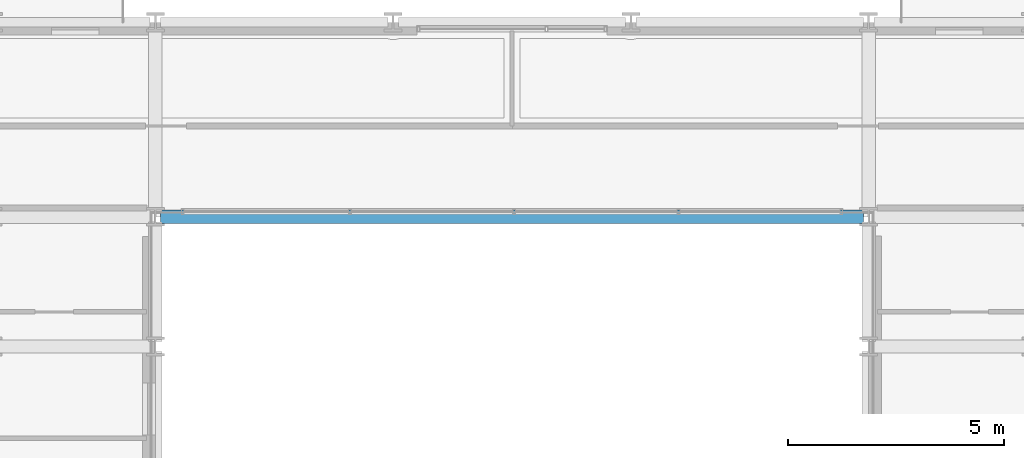
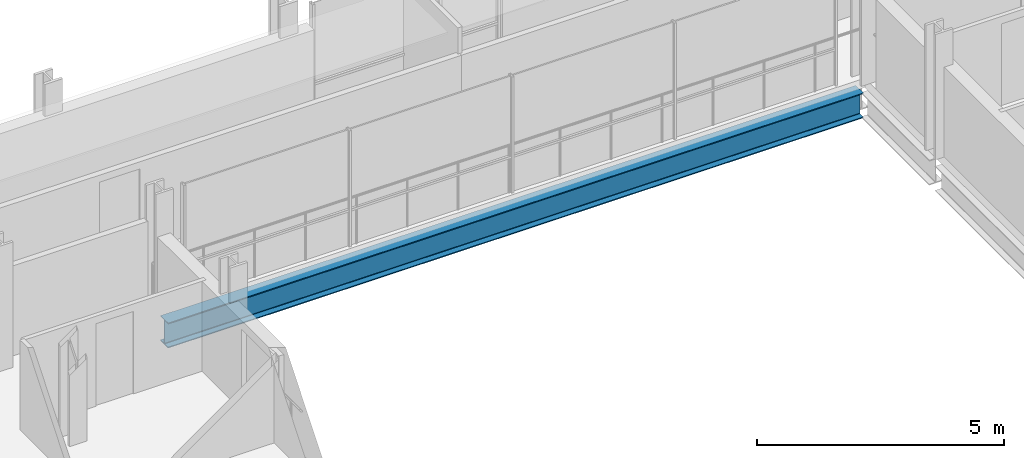
# One storey, part 10 of 41: 1 beam.
"""IFC4 building model written with IfcOpenShell, lengths in metres."""

from ifc_helpers import new_model, si_unit, direction, frame, origin, origin_2d, place, context, subcontext, project, spatial, i_section, extrude, material, material_profile, profile_set, type_object, element, save


model = new_model("IFC4")

# Units and contexts
model_context = context("Model", 3, precision=1e-05, world=origin(), true_north=direction((0.0, 1.0)))
body_context = subcontext(model_context, "Body", "Model", "MODEL_VIEW")
ifc_project = project(units=[si_unit("LENGTHUNIT", "METRE"), si_unit("AREAUNIT", "SQUARE_METRE"), si_unit("VOLUMEUNIT", "CUBIC_METRE"), si_unit("PLANEANGLEUNIT", "RADIAN"), si_unit("MASSUNIT", "GRAM", prefix="KILO")], contexts=[model_context])

# Site, building, storey
site_placement = place(None, origin())
site = spatial("IfcSite", under=ifc_project, at=site_placement, CompositionType="ELEMENT")
building_placement = place(site_placement, origin())
building = spatial("IfcBuilding", under=site, at=building_placement, Name="Brevholm Reach", CompositionType="ELEMENT")
storey_placement = place(building_placement, frame((0.0, 0.0, 74.5)))
storey = spatial("IfcBuildingStorey", under=building, at=storey_placement, Name="L21", CompositionType="ELEMENT", Elevation=74.5)

# Beam
ifc_material = material(Name="Structural Steel S355J2", Category="steel")
ifc_material_profile = material_profile(ifc_material, i_section(OverallWidth=0.30712890625, OverallDepth=0.6201171875, WebThickness=0.01416015625, FlangeThickness=0.023681640625, FilletRadius=0.0166015625, at=origin_2d()), Name="UKB 610x305x179")
ifc_profile_set = profile_set([ifc_material_profile], Name="Structural Steel S355J2")
beam_type = type_object("IfcBeamType", Name="BM-UKB610H", PredefinedType="USERDEFINED", material=ifc_profile_set)
beam_placement = place(storey_placement, frame((21.8701171875, 26.5, -0.5400390625), z_axis=(1.0, 0.0, 0.0), x_axis=(0.0, 1.0, 0.0)))
element("IfcBeam", 1, at=beam_placement, inside=storey, type_object=beam_type, Name="L21 G-06 Framing Beam", ObjectType="GIRDER", PredefinedType="USERDEFINED", context=body_context, shape_type="SweptSolid", body=[
    extrude(i_section(OverallWidth=0.30712890625, OverallDepth=0.6201171875, WebThickness=0.01416015625, FlangeThickness=0.023681640625, FilletRadius=0.0166015625, at=origin_2d()), origin(), (0.0, 0.0, 1.0), 16.259765625),
])

save(model, "model.ifc")
